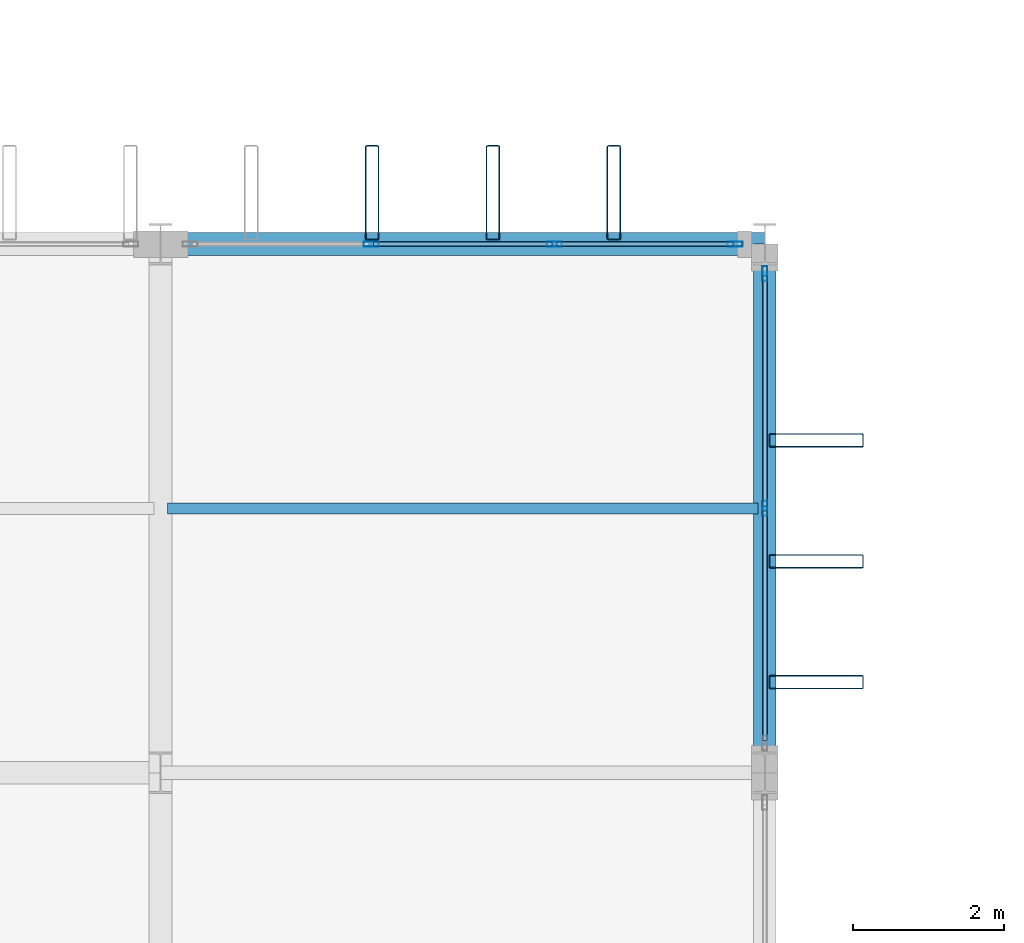
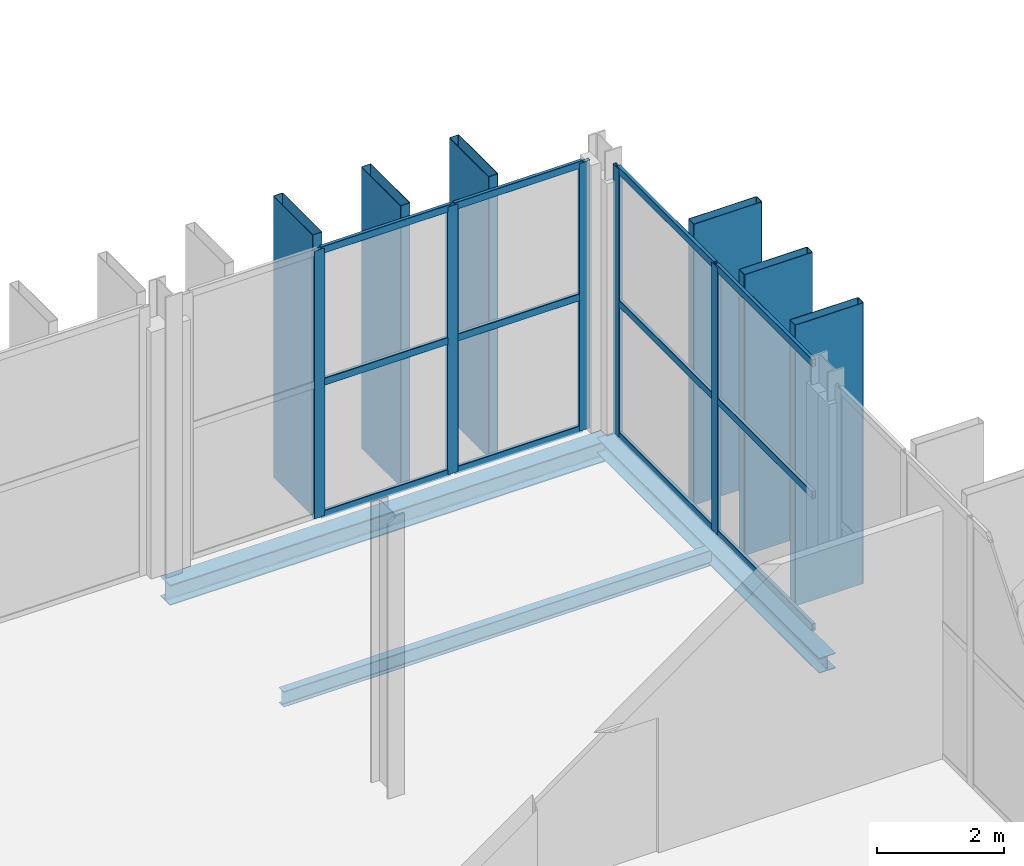
# One storey, part 64 of 147: 23 members, 3 beams, 2 elements without a shape of their own.
"""IFC4 building model written with IfcOpenShell, lengths in metres."""

import ifcopenshell
import ifcopenshell.guid

model = None  # the IFC model being written
_history = None  # IfcOwnerHistory: only IFC2X3 demands one
_inside = {}  # id of a spatial element -> (the spatial element, [elements in it])
_under = {}  # id of a project, library or spatial element -> (it, [spatial elements below it])
_declared = {}  # id of a project -> (the project, [libraries it declares])
_typed = {}  # id of a type object -> (the type object, [elements of that type])
_made_of = {}  # id of a material, layer set ... -> (it, [elements and type objects made of it])


def new_model(schema):
    """Start an empty IFC model of exactly this schema.

    Asked for "IFC4X3", IfcOpenShell would pick the latest addendum, in which some entities
    have other attributes; the version numbers below select the first issue.
    IFC2X3 requires an IfcOwnerHistory on every rooted entity: one is made here for all.
    """
    global model, _history
    if schema == "IFC4X3":
        model = ifcopenshell.file(schema_version=(4, 3, 0, 0))
    else:
        model = ifcopenshell.file(schema=schema)
    _inside.clear()
    _under.clear()
    _declared.clear()
    _typed.clear()
    _made_of.clear()
    _history = None
    if model.schema == "IFC2X3":
        org = make("IfcOrganization", Name="unknown")
        user = make(
            "IfcPersonAndOrganization",
            ThePerson=make("IfcPerson", FamilyName="unknown"),
            TheOrganization=org,
        )
        app = make(
            "IfcApplication",
            ApplicationDeveloper=org,
            Version="unknown",
            ApplicationFullName="unknown",
            ApplicationIdentifier="unknown",
        )
        _history = make(
            "IfcOwnerHistory",
            OwningUser=user,
            OwningApplication=app,
            ChangeAction="ADDED",
            CreationDate=0,
        )
    return model


def make(cls, **values):
    """One entity of the class cls with the attributes given. An attribute that is None is left unset."""
    return model.create_entity(
        cls, **{name: value for name, value in values.items() if value is not None}
    )


def rooted(cls, **values):
    """An entity with a GlobalId (a new one), such as an element, a storey or a relation."""
    return make(cls, GlobalId=ifcopenshell.guid.new(), OwnerHistory=_history, **values)


def si_unit(unit_type, name, prefix=None):
    """IfcSIUnit, for example si_unit("LENGTHUNIT", "METRE", prefix="MILLI")."""
    return make("IfcSIUnit", UnitType=unit_type, Prefix=prefix, Name=name)


def assignment(units):
    """IfcUnitAssignment: the units of a project."""
    return None if units is None else make("IfcUnitAssignment", Units=units)


def point(xyz):
    """IfcCartesianPoint."""
    return None if xyz is None else make("IfcCartesianPoint", Coordinates=xyz)


def direction(xyz):
    """IfcDirection."""
    return None if xyz is None else make("IfcDirection", DirectionRatios=xyz)


def frame(location, z_axis=None, x_axis=None):
    """IfcAxis2Placement3D, a coordinate frame: its origin and axes. An axis left out is left unset."""
    return make(
        "IfcAxis2Placement3D",
        Location=point(location),
        Axis=direction(z_axis),
        RefDirection=direction(x_axis),
    )


def frame_2d(location, x_axis=None):
    """IfcAxis2Placement2D, a coordinate frame in the plane: its origin and x axis."""
    return make(
        "IfcAxis2Placement2D", Location=point(location), RefDirection=direction(x_axis)
    )


def origin():
    """The frame at (0, 0, 0) with its axes left unset."""
    return frame((0.0, 0.0, 0.0))


def origin_2d():
    """The frame at (0, 0) in the plane with its x axis left unset."""
    return frame_2d((0.0, 0.0))


def place(relative_to, where):
    """IfcLocalPlacement: puts the frame where relative to a parent placement (None: the world)."""
    return make(
        "IfcLocalPlacement", PlacementRelTo=relative_to, RelativePlacement=where
    )


def context(
    kind, dimensions, precision=None, world=None, true_north=None, identifier=None
):
    """IfcGeometricRepresentationContext, for example the 3D "Model" context."""
    return make(
        "IfcGeometricRepresentationContext",
        ContextIdentifier=identifier,
        ContextType=kind,
        CoordinateSpaceDimension=dimensions,
        Precision=precision,
        WorldCoordinateSystem=world,
        TrueNorth=true_north,
    )


def subcontext(parent, identifier, kind, view, scale=None):
    """IfcGeometricRepresentationSubContext, for example "Body" below "Model"."""
    return make(
        "IfcGeometricRepresentationSubContext",
        ContextIdentifier=identifier,
        ContextType=kind,
        ParentContext=parent,
        TargetScale=scale,
        TargetView=view,
    )


def project(units=None, contexts=None):
    """IfcProject with its units and contexts."""
    return rooted(
        "IfcProject",
        Name="project",
        RepresentationContexts=contexts,
        UnitsInContext=assignment(units),
    )


def spatial(cls, under=None, at=None, **own):
    """A site, building, storey or space (cls), placed at a placement, below another one or the project."""
    s = rooted(cls, ObjectPlacement=at, **own)
    if under is not None:
        _under.setdefault(under.id(), (under, []))[1].append(s)
    return s


def profile(cls, at=None, kind="AREA", **sizes):
    """A parametric profile (cls). Its sizes go by their IFC names, for example OverallWidth=200.0."""
    return make(cls, ProfileType=kind, Position=at, **sizes)


def hollow_rectangle(**sizes):
    """IfcRectangleHollowProfileDef."""
    return profile("IfcRectangleHollowProfileDef", **sizes)


def i_section(**sizes):
    """IfcIShapeProfileDef."""
    return profile("IfcIShapeProfileDef", **sizes)


def extrude(swept, where, along, depth):
    """IfcExtrudedAreaSolid: the profile swept, set in the frame where, extruded along a direction by depth."""
    return make(
        "IfcExtrudedAreaSolid",
        SweptArea=swept,
        Position=where,
        ExtrudedDirection=direction(along),
        Depth=depth,
    )


def shape(context_of_items, identifier, shape_type, items):
    """IfcShapeRepresentation: the items that make up one representation, for example the "Body"."""
    return make(
        "IfcShapeRepresentation",
        ContextOfItems=context_of_items,
        RepresentationIdentifier=identifier,
        RepresentationType=shape_type,
        Items=items,
    )


def material(Name=None, Category=None):
    """IfcMaterial."""
    return make("IfcMaterial", Name=Name, Category=Category)


def layer(
    of_material, thickness, ventilated=None, Name=None, Category=None, Priority=None
):
    """IfcMaterialLayer: one layer of a wall or slab, of a material (None: an air gap)."""
    return make(
        "IfcMaterialLayer",
        Material=of_material,
        LayerThickness=thickness,
        IsVentilated=ventilated,
        Name=Name,
        Category=Category,
        Priority=Priority,
    )


def layer_set(layers, Name=None):
    """IfcMaterialLayerSet."""
    return make("IfcMaterialLayerSet", MaterialLayers=layers, LayerSetName=Name)


def material_profile(
    of_material, cross_section, Name=None, Category=None, Priority=None
):
    """IfcMaterialProfile: a cross section and its material."""
    return make(
        "IfcMaterialProfile",
        Name=Name,
        Material=of_material,
        Profile=cross_section,
        Priority=Priority,
        Category=Category,
    )


def profile_set(profiles, Name=None, composite=None):
    """IfcMaterialProfileSet."""
    return make(
        "IfcMaterialProfileSet",
        Name=Name,
        MaterialProfiles=profiles,
        CompositeProfile=composite,
    )


def made_of(thing, what):
    """Note that an element or type object is made of a material, layer set ...; save() writes the relation."""
    if what is not None:
        _made_of.setdefault(what.id(), (what, []))[1].append(thing)
    return thing


def type_object(cls, material=None, **own):
    """A type object (cls), such as IfcWallType, which elements share."""
    return made_of(rooted(cls, **own), material)


def element(
    cls,
    number,
    at=None,
    inside=None,
    cuts=None,
    type_object=None,
    material=None,
    context=None,
    identifier="Body",
    shape_type=None,
    held_by="IfcProductDefinitionShape",
    body=None,
    shapes=None,
    **own,
):
    """One element of the class cls, such as IfcWall. Its Tag is "e" and its number.

    at: its placement. inside: the storey or other place that contains it. cuts: it is an
    opening in that element (IfcRelVoidsElement). A single representation is given by context,
    identifier, shape_type and body (its items); several are given by shapes. held_by: the class
    of the entity that holds the representations. save() writes the other relations.
    """
    e = rooted(cls, Tag="e%d" % number, ObjectPlacement=at, **own)
    if body is not None:
        shapes = [shape(context, identifier, shape_type, body)]
    if shapes is not None:
        e.Representation = make(held_by, Representations=shapes)
    if inside is not None:
        _inside.setdefault(inside.id(), (inside, []))[1].append(e)
    if cuts is not None:
        rooted(
            "IfcRelVoidsElement", RelatingBuildingElement=cuts, RelatedOpeningElement=e
        )
    if type_object is not None:
        _typed.setdefault(type_object.id(), (type_object, []))[1].append(e)
    return made_of(e, material)


def aggregate(whole, parts):
    """IfcRelAggregates: a whole, such as a stair, and the parts it consists of."""
    return rooted("IfcRelAggregates", RelatingObject=whole, RelatedObjects=parts)


def save(model, path):
    """Write the relations noted so far, then the file.

    IfcRelAggregates (storeys below a building ...), IfcRelContainedInSpatialStructure (elements
    in a storey), IfcRelDefinesByType, IfcRelAssociatesMaterial and IfcRelDeclares: one each for
    every whole, place, type object, material and project.
    """
    for whole, parts in _under.values():
        aggregate(whole, parts)
    for where, things in _inside.values():
        rooted(
            "IfcRelContainedInSpatialStructure",
            RelatedElements=things,
            RelatingStructure=where,
        )
    for kind, things in _typed.values():
        rooted("IfcRelDefinesByType", RelatedObjects=things, RelatingType=kind)
    for what, things in _made_of.values():
        rooted("IfcRelAssociatesMaterial", RelatedObjects=things, RelatingMaterial=what)
    for by, libraries in _declared.values():
        rooted("IfcRelDeclares", RelatingContext=by, RelatedDefinitions=libraries)
    model.write(path)


model = new_model("IFC4")

# Units and contexts
model_context = context("Model", 3, precision=1e-05, world=origin(), true_north=direction((0.0, 1.0)))
body_context = subcontext(model_context, "Body", "Model", "MODEL_VIEW")
ifc_project = project(units=[si_unit("LENGTHUNIT", "METRE"), si_unit("AREAUNIT", "SQUARE_METRE"), si_unit("VOLUMEUNIT", "CUBIC_METRE"), si_unit("PLANEANGLEUNIT", "RADIAN"), si_unit("MASSUNIT", "GRAM", prefix="KILO")], contexts=[model_context])

# Site, building, storey
site_placement = place(None, origin())
site = spatial("IfcSite", under=ifc_project, at=site_placement, CompositionType="ELEMENT")
building_placement = place(site_placement, origin())
building = spatial("IfcBuilding", under=site, at=building_placement, Name="Vekula Escarpment Museum", CompositionType="ELEMENT")
storey_placement = place(building_placement, frame((0.0, 0.0, 7.800048828125)))
storey = spatial("IfcBuildingStorey", under=building, at=storey_placement, Name="L02", CompositionType="ELEMENT", Elevation=7.800048828125)

# Beams
ifc_material_1 = material(Name="Steel S355", Category="steel")
ifc_material_profile_1 = material_profile(ifc_material_1, i_section(OverallWidth=0.14990234375, OverallDepth=0.300048828125, WebThickness=0.007080078125, FlangeThickness=0.0107421875, FilletRadius=0.014892578125, at=origin_2d()), Name="IPE 300")
ifc_profile_set_1 = profile_set([ifc_material_profile_1], Name="Steel S355")
beam_type_1 = type_object("IfcBeamType", Name="BM-JST-IPE300", PredefinedType="JOIST", material=ifc_profile_set_1)
beam_1_placement = place(storey_placement, frame((118.090087890625, 86.89990234375, -0.41015625), z_axis=(1.0, 0.0, 0.0), x_axis=(0.0, 1.0, 0.0)))
element("IfcBeam", 1, at=beam_1_placement, inside=storey, type_object=beam_type_1, Name="Secondary Joist L02 0822", PredefinedType="JOIST", context=body_context, shape_type="SweptSolid", body=[
    extrude(i_section(OverallWidth=0.14990234375, OverallDepth=0.300048828125, WebThickness=0.007080078125, FlangeThickness=0.0107421875, FilletRadius=0.014892578125, at=origin_2d()), origin(), (0.0, 0.0, 1.0), 7.81982421875),
])
ifc_material_2 = material(Name="Steel S355", Category="steel")
ifc_material_profile_2 = material_profile(ifc_material_2, i_section(OverallWidth=0.300048828125, OverallDepth=0.2900390625, WebThickness=0.008544921875, FlangeThickness=0.013916015625, FilletRadius=0.027099609375, at=origin_2d()), Name="HEA 300")
ifc_profile_set_2 = profile_set([ifc_material_profile_2], Name="Steel S355")
beam_type_2 = type_object("IfcBeamType", Name="BM-SPAN-HEA300", PredefinedType="SPANDREL", material=ifc_profile_set_2)
beam_2_placement = place(storey_placement, frame((126.0, 83.39990234375, -0.405029296875), z_axis=(0.0, 1.0, 0.0), x_axis=(-1.0, 0.0, 0.0)))
element("IfcBeam", 2, at=beam_2_placement, inside=storey, type_object=beam_type_2, Name="Beam Y L02 1207", PredefinedType="SPANDREL", context=body_context, shape_type="SweptSolid", body=[
    extrude(i_section(OverallWidth=0.300048828125, OverallDepth=0.2900390625, WebThickness=0.008544921875, FlangeThickness=0.013916015625, FilletRadius=0.027099609375, at=origin_2d()), origin(), (0.0, 0.0, 1.0), 7.0),
])
ifc_material_3 = material(Name="Steel S355", Category="steel")
ifc_material_profile_3 = material_profile(ifc_material_3, i_section(OverallWidth=0.300048828125, OverallDepth=0.389892578125, WebThickness=0.010986328125, FlangeThickness=0.01904296875, FilletRadius=0.027099609375, at=origin_2d()), Name="HEA 400")
ifc_profile_set_3 = profile_set([ifc_material_profile_3], Name="Steel S355")
beam_type_3 = type_object("IfcBeamType", Name="BM-SPAN-HEA400", PredefinedType="SPANDREL", material=ifc_profile_set_3)
beam_3_placement = place(storey_placement, frame((118.0, 90.39990234375, -0.455078125), z_axis=(1.0, 0.0, 0.0), x_axis=(0.0, 1.0, 0.0)))
element("IfcBeam", 3, at=beam_3_placement, inside=storey, type_object=beam_type_3, Name="Beam X L02 0956", PredefinedType="SPANDREL", context=body_context, shape_type="SweptSolid", body=[
    extrude(i_section(OverallWidth=0.300048828125, OverallDepth=0.389892578125, WebThickness=0.010986328125, FlangeThickness=0.01904296875, FilletRadius=0.027099609375, at=origin_2d()), origin(), (0.0, 0.0, 1.0), 8.0),
])

# Curtain wall, members
ifc_material_4 = material(Name="Aluminium thermally broken framing", Category="aluminium")
ifc_layer_1 = layer(ifc_material_4, 0.159912109375)
ifc_layer_set_1 = layer_set([ifc_layer_1], Name="Aluminium thermally broken framing")
curtain_wall_type_1 = type_object("IfcCurtainWallType", Name="CW-SYS-05", PredefinedType="NOTDEFINED", material=ifc_layer_set_1)
curtain_wall_1_placement = place(storey_placement, origin())
curtain_wall_1 = element("IfcCurtainWall", 4, at=curtain_wall_1_placement, inside=storey, type_object=curtain_wall_type_1, Name="Curtain Wall CW-L02-075", PredefinedType="NOTDEFINED")
ifc_material_5 = material(Name="Aluminium anodized mullion", Category="aluminium")
ifc_material_profile_4 = material_profile(ifc_material_5, hollow_rectangle(XDim=0.06494140625, YDim=0.199951171875, WallThickness=0.00390625, InnerFilletRadius=0.00390625, OuterFilletRadius=0.008056640625, at=origin_2d()), Name="ALU 200x65x4")
ifc_profile_set_4 = profile_set([ifc_material_profile_4], Name="Aluminium anodized mullion")
member_type_1 = type_object("IfcMemberType", Name="CW-MUL-200", PredefinedType="MULLION", material=ifc_profile_set_4)
member_1_placement = place(storey_placement, frame((126.0, 86.89990234375, 0.0), z_axis=(0.0, 0.0, 1.0), x_axis=(-1.0, 0.0, 0.0)))
member_1 = element("IfcMember", 5, at=member_1_placement, type_object=member_type_1, Name="CW-05 mullion 2", PredefinedType="MULLION", context=body_context, shape_type="SweptSolid", body=[
    extrude(hollow_rectangle(XDim=0.06494140625, YDim=0.199951171875, WallThickness=0.00390625, InnerFilletRadius=0.00390625, OuterFilletRadius=0.008056640625, at=origin_2d()), origin(), (0.0, 0.0, 1.0), 5.14990234375),
])
member_2_placement = place(storey_placement, frame((126.0, 90.007568359375, 0.0), z_axis=(0.0, 0.0, 1.0), x_axis=(-1.0, 0.0, 0.0)))
member_2 = element("IfcMember", 6, at=member_2_placement, type_object=member_type_1, Name="CW-05 mullion 3", PredefinedType="MULLION", context=body_context, shape_type="SweptSolid", body=[
    extrude(hollow_rectangle(XDim=0.06494140625, YDim=0.199951171875, WallThickness=0.00390625, InnerFilletRadius=0.00390625, OuterFilletRadius=0.008056640625, at=origin_2d()), origin(), (0.0, 0.0, 1.0), 5.14990234375),
])

ifc_material_6 = material(Name="Aluminium thermally broken framing", Category="aluminium")
ifc_layer_2 = layer(ifc_material_6, 0.139892578125)
ifc_layer_set_2 = layer_set([ifc_layer_2], Name="Aluminium thermally broken framing")
curtain_wall_type_2 = type_object("IfcCurtainWallType", Name="CW-SYS-06", PredefinedType="NOTDEFINED", material=ifc_layer_set_2)
curtain_wall_2_placement = place(storey_placement, origin())
curtain_wall_2 = element("IfcCurtainWall", 7, at=curtain_wall_2_placement, inside=storey, type_object=curtain_wall_type_2, Name="Curtain Wall CW-L02-076", PredefinedType="NOTDEFINED")
member_3_placement = place(storey_placement, frame((125.607421875, 90.39990234375, 0.0), z_axis=(0.0, 0.0, 1.0), x_axis=(0.0, -1.0, 0.0)))
member_3 = element("IfcMember", 8, at=member_3_placement, type_object=member_type_1, Name="CW-06 mullion 1", PredefinedType="MULLION", context=body_context, shape_type="SweptSolid", body=[
    extrude(hollow_rectangle(XDim=0.06494140625, YDim=0.199951171875, WallThickness=0.00390625, InnerFilletRadius=0.00390625, OuterFilletRadius=0.008056640625, at=origin_2d()), origin(), (0.0, 0.0, 1.0), 5.14990234375),
])
member_4_placement = place(storey_placement, frame((123.21337890625, 90.39990234375, 0.0), z_axis=(0.0, 0.0, 1.0), x_axis=(0.0, -1.0, 0.0)))
member_4 = element("IfcMember", 9, at=member_4_placement, type_object=member_type_1, Name="CW-06 mullion 2", PredefinedType="MULLION", context=body_context, shape_type="SweptSolid", body=[
    extrude(hollow_rectangle(XDim=0.06494140625, YDim=0.199951171875, WallThickness=0.00390625, InnerFilletRadius=0.00390625, OuterFilletRadius=0.008056640625, at=origin_2d()), origin(), (0.0, 0.0, 1.0), 5.14990234375),
])
member_5_placement = place(storey_placement, frame((120.78662109375, 90.39990234375, 0.0), z_axis=(0.0, 0.0, 1.0), x_axis=(0.0, -1.0, 0.0)))
member_5 = element("IfcMember", 10, at=member_5_placement, type_object=member_type_1, Name="CW-06 mullion 3", PredefinedType="MULLION", context=body_context, shape_type="SweptSolid", body=[
    extrude(hollow_rectangle(XDim=0.06494140625, YDim=0.199951171875, WallThickness=0.00390625, InnerFilletRadius=0.00390625, OuterFilletRadius=0.008056640625, at=origin_2d()), origin(), (0.0, 0.0, 1.0), 5.14990234375),
])

# Member
ifc_material_7 = material(Name="Aluminium anodized transom", Category="aluminium")
ifc_material_profile_5 = material_profile(ifc_material_7, hollow_rectangle(XDim=0.06494140625, YDim=0.139892578125, WallThickness=0.00390625, InnerFilletRadius=0.00390625, OuterFilletRadius=0.008056640625, at=origin_2d()), Name="ALU 140x65x4")
ifc_profile_set_5 = profile_set([ifc_material_profile_5], Name="Aluminium anodized transom")
member_type_2 = type_object("IfcMemberType", Name="CW-TRN-140", PredefinedType="USERDEFINED", material=ifc_profile_set_5)
member_6_placement = place(storey_placement, frame((126.0, 83.824951171875, 0.032470703125), z_axis=(0.0, 1.0, 0.0), x_axis=(-1.0, 0.0, 0.0)))
member_6 = element("IfcMember", 11, at=member_6_placement, type_object=member_type_2, Name="CW-05 transom 1.1", ObjectType="TRANSOM", PredefinedType="USERDEFINED", context=body_context, shape_type="SweptSolid", body=[
    extrude(hollow_rectangle(XDim=0.06494140625, YDim=0.139892578125, WallThickness=0.00390625, InnerFilletRadius=0.00390625, OuterFilletRadius=0.008056640625, at=origin_2d()), origin(), (0.0, 0.0, 1.0), 3.04248046875),
])

member_7_placement = place(storey_placement, frame((126.0, 83.824951171875, 2.574951171875), z_axis=(0.0, 1.0, 0.0), x_axis=(-1.0, 0.0, 0.0)))
member_7 = element("IfcMember", 12, at=member_7_placement, type_object=member_type_2, Name="CW-05 transom 1.2", ObjectType="TRANSOM", PredefinedType="USERDEFINED", context=body_context, shape_type="SweptSolid", body=[
    extrude(hollow_rectangle(XDim=0.06494140625, YDim=0.139892578125, WallThickness=0.00390625, InnerFilletRadius=0.00390625, OuterFilletRadius=0.008056640625, at=origin_2d()), origin(), (0.0, 0.0, 1.0), 3.04248046875),
])

member_8_placement = place(storey_placement, frame((126.0, 83.824951171875, 5.117431640625), z_axis=(0.0, 1.0, 0.0), x_axis=(-1.0, 0.0, 0.0)))
member_8 = element("IfcMember", 13, at=member_8_placement, type_object=member_type_2, Name="CW-05 transom 1.3", ObjectType="TRANSOM", PredefinedType="USERDEFINED", context=body_context, shape_type="SweptSolid", body=[
    extrude(hollow_rectangle(XDim=0.06494140625, YDim=0.139892578125, WallThickness=0.00390625, InnerFilletRadius=0.00390625, OuterFilletRadius=0.008056640625, at=origin_2d()), origin(), (0.0, 0.0, 1.0), 3.04248046875),
])

member_9_placement = place(storey_placement, frame((126.0, 86.9326171875, 0.032470703125), z_axis=(0.0, 1.0, 0.0), x_axis=(-1.0, 0.0, 0.0)))
member_9 = element("IfcMember", 14, at=member_9_placement, type_object=member_type_2, Name="CW-05 transom 2.1", ObjectType="TRANSOM", PredefinedType="USERDEFINED", context=body_context, shape_type="SweptSolid", body=[
    extrude(hollow_rectangle(XDim=0.06494140625, YDim=0.139892578125, WallThickness=0.00390625, InnerFilletRadius=0.00390625, OuterFilletRadius=0.008056640625, at=origin_2d()), origin(), (0.0, 0.0, 1.0), 3.04248046875),
])

member_10_placement = place(storey_placement, frame((126.0, 86.9326171875, 2.574951171875), z_axis=(0.0, 1.0, 0.0), x_axis=(-1.0, 0.0, 0.0)))
member_10 = element("IfcMember", 15, at=member_10_placement, type_object=member_type_2, Name="CW-05 transom 2.2", ObjectType="TRANSOM", PredefinedType="USERDEFINED", context=body_context, shape_type="SweptSolid", body=[
    extrude(hollow_rectangle(XDim=0.06494140625, YDim=0.139892578125, WallThickness=0.00390625, InnerFilletRadius=0.00390625, OuterFilletRadius=0.008056640625, at=origin_2d()), origin(), (0.0, 0.0, 1.0), 3.04248046875),
])

member_11_placement = place(storey_placement, frame((126.0, 86.9326171875, 5.117431640625), z_axis=(0.0, 1.0, 0.0), x_axis=(-1.0, 0.0, 0.0)))
member_11 = element("IfcMember", 16, at=member_11_placement, type_object=member_type_2, Name="CW-05 transom 2.3", ObjectType="TRANSOM", PredefinedType="USERDEFINED", context=body_context, shape_type="SweptSolid", body=[
    extrude(hollow_rectangle(XDim=0.06494140625, YDim=0.139892578125, WallThickness=0.00390625, InnerFilletRadius=0.00390625, OuterFilletRadius=0.008056640625, at=origin_2d()), origin(), (0.0, 0.0, 1.0), 3.04248046875),
])

aggregate(curtain_wall_1, [member_1, member_2, member_6, member_7, member_8, member_9, member_10, member_11])

member_12_placement = place(storey_placement, frame((125.574951171875, 90.39990234375, 0.032470703125), z_axis=(-1.0, 0.0, 0.0), x_axis=(0.0, -1.0, 0.0)))
member_12 = element("IfcMember", 17, at=member_12_placement, type_object=member_type_2, Name="CW-06 transom 1.1", ObjectType="TRANSOM", PredefinedType="USERDEFINED", context=body_context, shape_type="SweptSolid", body=[
    extrude(hollow_rectangle(XDim=0.06494140625, YDim=0.139892578125, WallThickness=0.00390625, InnerFilletRadius=0.00390625, OuterFilletRadius=0.008056640625, at=origin_2d()), origin(), (0.0, 0.0, 1.0), 2.3291015625),
])

member_13_placement = place(storey_placement, frame((125.574951171875, 90.39990234375, 2.574951171875), z_axis=(-1.0, 0.0, 0.0), x_axis=(0.0, -1.0, 0.0)))
member_13 = element("IfcMember", 18, at=member_13_placement, type_object=member_type_2, Name="CW-06 transom 1.2", ObjectType="TRANSOM", PredefinedType="USERDEFINED", context=body_context, shape_type="SweptSolid", body=[
    extrude(hollow_rectangle(XDim=0.06494140625, YDim=0.139892578125, WallThickness=0.00390625, InnerFilletRadius=0.00390625, OuterFilletRadius=0.008056640625, at=origin_2d()), origin(), (0.0, 0.0, 1.0), 2.3291015625),
])

member_14_placement = place(storey_placement, frame((125.574951171875, 90.39990234375, 5.117431640625), z_axis=(-1.0, 0.0, 0.0), x_axis=(0.0, -1.0, 0.0)))
member_14 = element("IfcMember", 19, at=member_14_placement, type_object=member_type_2, Name="CW-06 transom 1.3", ObjectType="TRANSOM", PredefinedType="USERDEFINED", context=body_context, shape_type="SweptSolid", body=[
    extrude(hollow_rectangle(XDim=0.06494140625, YDim=0.139892578125, WallThickness=0.00390625, InnerFilletRadius=0.00390625, OuterFilletRadius=0.008056640625, at=origin_2d()), origin(), (0.0, 0.0, 1.0), 2.3291015625),
])

member_15_placement = place(storey_placement, frame((123.180908203125, 90.39990234375, 0.032470703125), z_axis=(-1.0, 0.0, 0.0), x_axis=(0.0, -1.0, 0.0)))
member_15 = element("IfcMember", 20, at=member_15_placement, type_object=member_type_2, Name="CW-06 transom 2.1", ObjectType="TRANSOM", PredefinedType="USERDEFINED", context=body_context, shape_type="SweptSolid", body=[
    extrude(hollow_rectangle(XDim=0.06494140625, YDim=0.139892578125, WallThickness=0.00390625, InnerFilletRadius=0.00390625, OuterFilletRadius=0.008056640625, at=origin_2d()), origin(), (0.0, 0.0, 1.0), 2.36181640625),
])

member_16_placement = place(storey_placement, frame((123.180908203125, 90.39990234375, 2.574951171875), z_axis=(-1.0, 0.0, 0.0), x_axis=(0.0, -1.0, 0.0)))
member_16 = element("IfcMember", 21, at=member_16_placement, type_object=member_type_2, Name="CW-06 transom 2.2", ObjectType="TRANSOM", PredefinedType="USERDEFINED", context=body_context, shape_type="SweptSolid", body=[
    extrude(hollow_rectangle(XDim=0.06494140625, YDim=0.139892578125, WallThickness=0.00390625, InnerFilletRadius=0.00390625, OuterFilletRadius=0.008056640625, at=origin_2d()), origin(), (0.0, 0.0, 1.0), 2.36181640625),
])

member_17_placement = place(storey_placement, frame((123.180908203125, 90.39990234375, 5.117431640625), z_axis=(-1.0, 0.0, 0.0), x_axis=(0.0, -1.0, 0.0)))
member_17 = element("IfcMember", 22, at=member_17_placement, type_object=member_type_2, Name="CW-06 transom 2.3", ObjectType="TRANSOM", PredefinedType="USERDEFINED", context=body_context, shape_type="SweptSolid", body=[
    extrude(hollow_rectangle(XDim=0.06494140625, YDim=0.139892578125, WallThickness=0.00390625, InnerFilletRadius=0.00390625, OuterFilletRadius=0.008056640625, at=origin_2d()), origin(), (0.0, 0.0, 1.0), 2.36181640625),
])

aggregate(curtain_wall_2, [member_3, member_4, member_5, member_12, member_13, member_14, member_15, member_16, member_17])

# Members
ifc_material_8 = material(Name="Steel S355 weathered bronze solar fin", Category="steel")
ifc_material_profile_6 = material_profile(ifc_material_8, hollow_rectangle(XDim=0.179931640625, YDim=1.25, WallThickness=0.010009765625, InnerFilletRadius=0.010009765625, OuterFilletRadius=0.02001953125, at=origin_2d()), Name="RHS 1250x180x10")
ifc_profile_set_6 = profile_set([ifc_material_profile_6], Name="Steel S355 weathered bronze solar fin")
member_type_3 = type_object("IfcMemberType", Name="MB-SOLAR-FIN", PredefinedType="USERDEFINED", material=ifc_profile_set_6)
for number, where, z_axis, x_axis, name in (
    (23, (120.800048828125, 91.080078125, 0.0), (0.0, 0.0, 1.0), (1.0, 0.0, 0.0), "Great Hall Vertical Solar Fin 0267"),
    (24, (122.39990234375, 91.080078125, 0.0), (0.0, 0.0, 1.0), (1.0, 0.0, 0.0), "Great Hall Vertical Solar Fin 0272"),
    (25, (124.0, 91.080078125, 0.0), (0.0, 0.0, 1.0), (1.0, 0.0, 0.0), "Great Hall Vertical Solar Fin 0277"),
    (26, (126.679931640625, 84.60009765625, 0.0), (0.0, 0.0, 1.0), (0.0, 1.0, 0.0), "Great Hall Vertical Solar Fin 0402"),
    (27, (126.679931640625, 86.199951171875, 0.0), (0.0, 0.0, 1.0), (0.0, 1.0, 0.0), "Great Hall Vertical Solar Fin 0407"),
    (28, (126.679931640625, 87.800048828125, 0.0), (0.0, 0.0, 1.0), (0.0, 1.0, 0.0), "Great Hall Vertical Solar Fin 0412"),
):
    element("IfcMember", number, at=place(storey_placement, frame(where, z_axis=z_axis, x_axis=x_axis)), inside=storey, type_object=member_type_3, Name=name, ObjectType="SOLAR FIN", PredefinedType="USERDEFINED", context=body_context, shape_type="SweptSolid", body=[
        extrude(hollow_rectangle(XDim=0.179931640625, YDim=1.25, WallThickness=0.010009765625, InnerFilletRadius=0.010009765625, OuterFilletRadius=0.02001953125, at=origin_2d()), origin(), (0.0, 0.0, 1.0), 5.39990234375),
    ])

save(model, "model.ifc")
